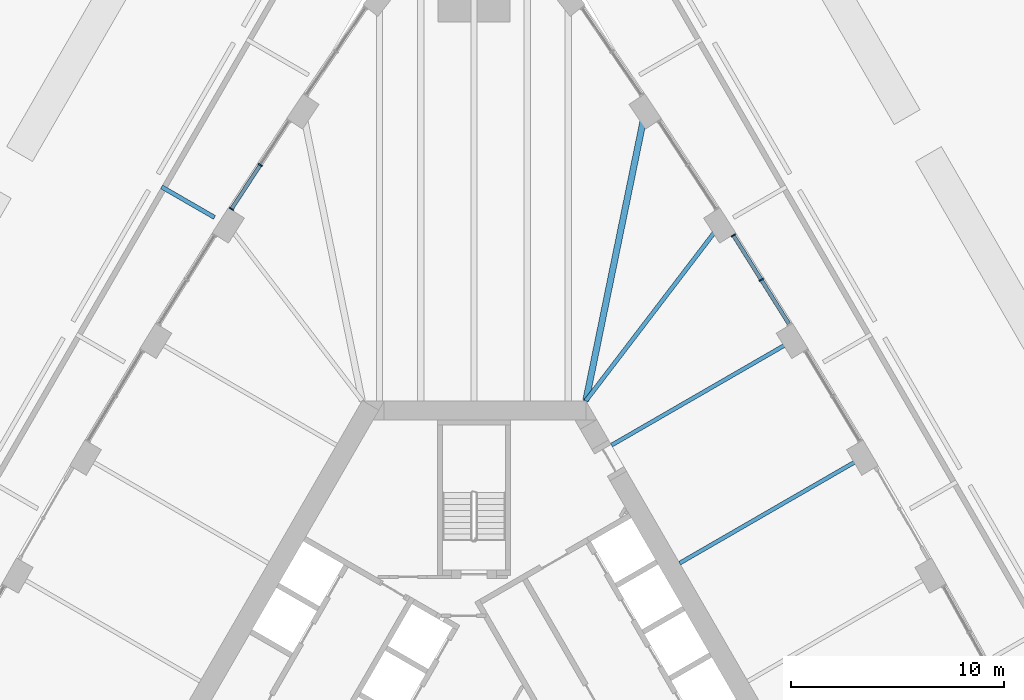
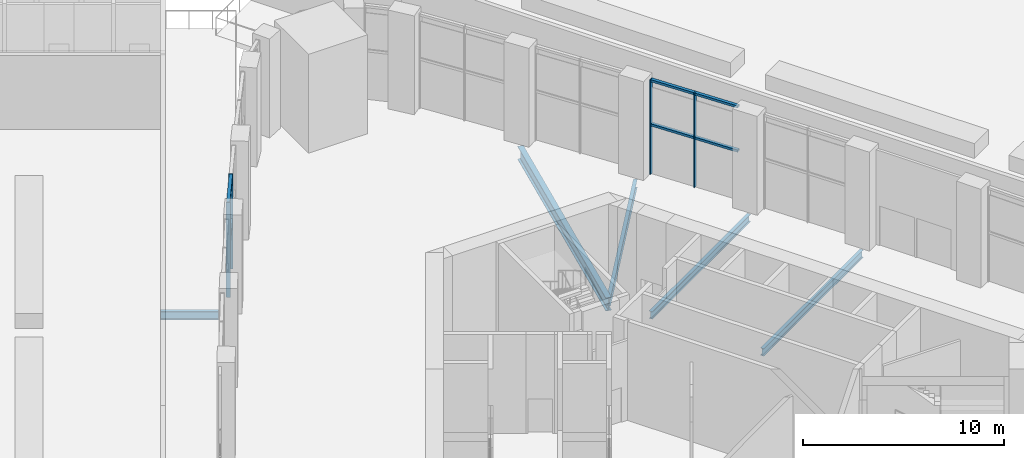
# One storey, part 11 of 41: 10 members, 5 beams, 2 elements without a shape of their own.
"""IFC4 building model written with IfcOpenShell, lengths in metres."""

from ifc_helpers import new_model, si_unit, direction, frame, origin, origin_2d, place, context, subcontext, project, spatial, rectangle, i_section, extrude, material, material_profile, profile_set, type_object, element, aggregate, save


model = new_model("IFC4")

# Units and contexts
model_context = context("Model", 3, precision=1e-05, world=origin(), true_north=direction((0.0, 1.0)))
body_context = subcontext(model_context, "Body", "Model", "MODEL_VIEW")
ifc_project = project(units=[si_unit("LENGTHUNIT", "METRE"), si_unit("AREAUNIT", "SQUARE_METRE"), si_unit("VOLUMEUNIT", "CUBIC_METRE"), si_unit("PLANEANGLEUNIT", "RADIAN"), si_unit("MASSUNIT", "GRAM", prefix="KILO")], contexts=[model_context])

# Site, building, storey
site_placement = place(None, origin())
site = spatial("IfcSite", under=ifc_project, at=site_placement, CompositionType="ELEMENT")
building_placement = place(site_placement, origin())
building = spatial("IfcBuilding", under=site, at=building_placement, Name="Mestral Congress Tower", CompositionType="ELEMENT")
storey_placement = place(building_placement, frame((0.0, 0.0, 21.60009765625)))
storey = spatial("IfcBuildingStorey", under=building, at=storey_placement, Name="L04", CompositionType="ELEMENT", Elevation=21.60009765625)

# Curtain wall, members
ifc_material_1 = material(Name="Clear low-emissivity double glazing", Category="glass")
curtain_wall_type = type_object("IfcCurtainWallType", Name="Facade arrival lobby curtain wall", PredefinedType="USERDEFINED", material=ifc_material_1)
placement = place(storey_placement, origin())
curtain_wall_1 = element("IfcCurtainWall", 1, at=placement, inside=storey, type_object=curtain_wall_type, Name="Facade arrival lobby curtain wall face 2", ObjectType="CURTAIN WALL", PredefinedType="USERDEFINED")
ifc_material_2 = material(Name="Anodised aluminium", Category="aluminium")
ifc_material_profile_1 = material_profile(ifc_material_2, rectangle(XDim=0.219970703125, YDim=0.06005859375, at=origin_2d()), Name="CW4 mullion 220 x 60")
ifc_profile_set_1 = profile_set([ifc_material_profile_1], Name="Anodised aluminium")
member_type_1 = type_object("IfcMemberType", Name="Facade arrival lobby curtain wall mullion", PredefinedType="MULLION", material=ifc_profile_set_1)
member_1_placement = place(storey_placement, frame((13.494384765625, 22.579833984375, 0.0), z_axis=(0.0, 0.0, 1.0), x_axis=(0.846953079929, 0.531667640918, 0.0)))
member_1 = element("IfcMember", 2, at=member_1_placement, type_object=member_type_1, Name="Facade arrival lobby curtain wall mullion", PredefinedType="MULLION", context=body_context, shape_type="SweptSolid", body=[
    extrude(rectangle(XDim=0.219970703125, YDim=0.06005859375, at=origin_2d()), origin(), (0.0, 0.0, 1.0), 5.75),
])
member_2_placement = place(storey_placement, frame((12.181640625, 24.671142578125, 0.0), z_axis=(0.0, 0.0, 1.0), x_axis=(0.846953079929, 0.531667640918, 0.0)))
member_2 = element("IfcMember", 3, at=member_2_placement, type_object=member_type_1, Name="Facade arrival lobby curtain wall mullion", PredefinedType="MULLION", context=body_context, shape_type="SweptSolid", body=[
    extrude(rectangle(XDim=0.219970703125, YDim=0.06005859375, at=origin_2d()), origin(), (0.0, 0.0, 1.0), 5.75),
])

curtain_wall_2 = element("IfcCurtainWall", 4, at=placement, inside=storey, type_object=curtain_wall_type, Name="Facade arrival lobby curtain wall face 3", ObjectType="CURTAIN WALL", PredefinedType="USERDEFINED")
member_3_placement = place(storey_placement, frame((-10.0390625, 27.97314453125, 0.0), z_axis=(0.0, 0.0, 1.0), x_axis=(-0.836982141811, 0.547230202282, 0.0)))
member_3 = element("IfcMember", 5, at=member_3_placement, type_object=member_type_1, Name="Facade arrival lobby curtain wall mullion", PredefinedType="MULLION", context=body_context, shape_type="SweptSolid", body=[
    extrude(rectangle(XDim=0.219970703125, YDim=0.06005859375, at=origin_2d()), origin(), (0.0, 0.0, 1.0), 5.75),
])
member_4_placement = place(storey_placement, frame((-11.39013671875, 25.906494140625, 0.0), z_axis=(0.0, 0.0, 1.0), x_axis=(-0.836982141811, 0.547230202282, 0.0)))
member_4 = element("IfcMember", 6, at=member_4_placement, type_object=member_type_1, Name="Facade arrival lobby curtain wall mullion", PredefinedType="MULLION", context=body_context, shape_type="SweptSolid", body=[
    extrude(rectangle(XDim=0.219970703125, YDim=0.06005859375, at=origin_2d()), origin(), (0.0, 0.0, 1.0), 5.75),
])

# Member
ifc_material_profile_2 = material_profile(ifc_material_2, rectangle(XDim=0.179931640625, YDim=0.139892578125, at=origin_2d()), Name="CW4 transom 180 x 140")
ifc_profile_set_2 = profile_set([ifc_material_profile_2], Name="Anodised aluminium")
member_type_2 = type_object("IfcMemberType", Name="Facade arrival lobby curtain wall transom", PredefinedType="USERDEFINED", material=ifc_profile_set_2)
member_5_placement = place(storey_placement, frame((14.791015625, 20.51416015625, 3.0), z_axis=(-0.531665012804, 0.846954729699, 0.0), x_axis=(-0.846954729699, -0.531665012804, 0.0)))
member_5 = element("IfcMember", 7, at=member_5_placement, type_object=member_type_2, Name="Facade arrival lobby curtain wall transom", ObjectType="TRANSOM", PredefinedType="USERDEFINED", context=body_context, shape_type="SweptSolid", body=[
    extrude(rectangle(XDim=0.179931640625, YDim=0.139892578125, at=origin_2d()), origin(), (0.0, 0.0, 1.0), 2.408935546875),
])

member_6_placement = place(storey_placement, frame((14.791015625, 20.51416015625, 5.679931640625), z_axis=(-0.531665012804, 0.846954729699, 0.0), x_axis=(-0.846954729699, -0.531665012804, 0.0)))
member_6 = element("IfcMember", 8, at=member_6_placement, type_object=member_type_2, Name="Facade arrival lobby curtain wall transom", ObjectType="TRANSOM", PredefinedType="USERDEFINED", context=body_context, shape_type="SweptSolid", body=[
    extrude(rectangle(XDim=0.179931640625, YDim=0.139892578125, at=origin_2d()), origin(), (0.0, 0.0, 1.0), 2.408935546875),
])

member_7_placement = place(storey_placement, frame((13.478515625, 22.60546875, 3.0), z_axis=(-0.531737706222, 0.846909092986, 0.0), x_axis=(-0.846909092986, -0.531737706222, 0.0)))
member_7 = element("IfcMember", 9, at=member_7_placement, type_object=member_type_2, Name="Facade arrival lobby curtain wall transom", ObjectType="TRANSOM", PredefinedType="USERDEFINED", context=body_context, shape_type="SweptSolid", body=[
    extrude(rectangle(XDim=0.179931640625, YDim=0.139892578125, at=origin_2d()), origin(), (0.0, 0.0, 1.0), 2.4091796875),
])

member_8_placement = place(storey_placement, frame((13.478515625, 22.60546875, 5.679931640625), z_axis=(-0.531737706222, 0.846909092986, 0.0), x_axis=(-0.846909092986, -0.531737706222, 0.0)))
member_8 = element("IfcMember", 10, at=member_8_placement, type_object=member_type_2, Name="Facade arrival lobby curtain wall transom", ObjectType="TRANSOM", PredefinedType="USERDEFINED", context=body_context, shape_type="SweptSolid", body=[
    extrude(rectangle(XDim=0.179931640625, YDim=0.139892578125, at=origin_2d()), origin(), (0.0, 0.0, 1.0), 2.4091796875),
])

aggregate(curtain_wall_1, [member_1, member_2, member_5, member_6, member_7, member_8])

member_9_placement = place(storey_placement, frame((-10.055419921875, 27.947998046875, 3.0), z_axis=(-0.547241171667, -0.836974969777, 0.0), x_axis=(0.836974969777, -0.547241171667, 0.0)))
member_9 = element("IfcMember", 11, at=member_9_placement, type_object=member_type_2, Name="Facade arrival lobby curtain wall transom", ObjectType="TRANSOM", PredefinedType="USERDEFINED", context=body_context, shape_type="SweptSolid", body=[
    extrude(rectangle(XDim=0.179931640625, YDim=0.139892578125, at=origin_2d()), origin(), (0.0, 0.0, 1.0), 2.4091796875),
])

member_10_placement = place(storey_placement, frame((-10.055419921875, 27.947998046875, 5.679931640625), z_axis=(-0.547241171667, -0.836974969777, 0.0), x_axis=(0.836974969777, -0.547241171667, 0.0)))
member_10 = element("IfcMember", 12, at=member_10_placement, type_object=member_type_2, Name="Facade arrival lobby curtain wall transom", ObjectType="TRANSOM", PredefinedType="USERDEFINED", context=body_context, shape_type="SweptSolid", body=[
    extrude(rectangle(XDim=0.179931640625, YDim=0.139892578125, at=origin_2d()), origin(), (0.0, 0.0, 1.0), 2.4091796875),
])

aggregate(curtain_wall_2, [member_3, member_4, member_9, member_10])

# Beams
ifc_material_3 = material(Name="Steel S355", Category="steel")
ifc_material_profile_3 = material_profile(ifc_material_3, i_section(OverallWidth=0.300048828125, OverallDepth=0.800048828125, WebThickness=0.017578125, FlangeThickness=0.032958984375, FilletRadius=0.030029296875, at=origin_2d()), Name="HEB 800")
ifc_profile_set_3 = profile_set([ifc_material_profile_3], Name="Steel S355")
beam_type_1 = type_object("IfcBeamType", Name="Floor beam HEB 800 S355", PredefinedType="BEAM", material=ifc_profile_set_3)
beam_1_placement = place(storey_placement, frame((8.03662109375, 30.4873046875, -0.800048828125), z_axis=(-0.200636612505, -0.979665733668, 0.0), x_axis=(0.979665733668, -0.200636612505, 0.0)))
element("IfcBeam", 13, at=beam_1_placement, inside=storey, type_object=beam_type_1, Name="BM-L04-RB1-E08", PredefinedType="BEAM", context=body_context, shape_type="SweptSolid", body=[
    extrude(i_section(OverallWidth=0.300048828125, OverallDepth=0.800048828125, WebThickness=0.017578125, FlangeThickness=0.032958984375, FilletRadius=0.030029296875, at=origin_2d()), origin(), (0.0, 0.0, 1.0), 13.869384765625),
])
ifc_material_profile_4 = material_profile(ifc_material_3, i_section(OverallWidth=0.18994140625, OverallDepth=0.449951171875, WebThickness=0.009521484375, FlangeThickness=0.0146484375, FilletRadius=0.02099609375, at=origin_2d()), Name="IPE 450")
ifc_profile_set_4 = profile_set([ifc_material_profile_4], Name="Steel S355")
beam_type_2 = type_object("IfcBeamType", Name="Floor beam IPE 450 S355", PredefinedType="BEAM", material=ifc_profile_set_4)
beam_2_placement = place(storey_placement, frame((18.243408203125, 14.227783203125, -0.625), z_axis=(-0.866024815816, -0.500001018391, 0.0), x_axis=(0.500001018391, -0.866024815816, 0.0)))
element("IfcBeam", 14, at=beam_2_placement, inside=storey, type_object=beam_type_2, Name="BM-L04-RB1-E05", PredefinedType="BEAM", context=body_context, shape_type="SweptSolid", body=[
    extrude(i_section(OverallWidth=0.18994140625, OverallDepth=0.449951171875, WebThickness=0.009521484375, FlangeThickness=0.0146484375, FilletRadius=0.02099609375, at=origin_2d()), origin(), (0.0, 0.0, 1.0), 9.9130859375),
])
beam_3_placement = place(storey_placement, frame((14.941650390625, 19.710205078125, -0.625), z_axis=(-0.866025782648, -0.499999343788, 0.0), x_axis=(0.499999343788, -0.866025782648, 0.0)))
element("IfcBeam", 15, at=beam_3_placement, inside=storey, type_object=beam_type_2, Name="BM-L04-RB1-E06", PredefinedType="BEAM", context=body_context, shape_type="SweptSolid", body=[
    extrude(i_section(OverallWidth=0.18994140625, OverallDepth=0.449951171875, WebThickness=0.009521484375, FlangeThickness=0.0146484375, FilletRadius=0.02099609375, at=origin_2d()), origin(), (0.0, 0.0, 1.0), 9.794921875),
])
ifc_material_profile_5 = material_profile(ifc_material_3, i_section(OverallWidth=0.199951171875, OverallDepth=0.5, WebThickness=0.01025390625, FlangeThickness=0.01611328125, FilletRadius=0.02099609375, at=origin_2d()), Name="IPE 500")
ifc_profile_set_5 = profile_set([ifc_material_profile_5], Name="Steel S355")
beam_type_3 = type_object("IfcBeamType", Name="Floor beam IPE 500 S355", PredefinedType="BEAM", material=ifc_profile_set_5)
beam_4_placement = place(storey_placement, frame((11.5390625, 25.130615234375, -0.650146484375), z_axis=(-0.606906563916, -0.794773189454, 0.0), x_axis=(0.794773189454, -0.606906563916, 0.0)))
element("IfcBeam", 16, at=beam_4_placement, inside=storey, type_object=beam_type_3, Name="BM-L04-RB1-E07", PredefinedType="BEAM", context=body_context, shape_type="SweptSolid", body=[
    extrude(i_section(OverallWidth=0.199951171875, OverallDepth=0.5, WebThickness=0.01025390625, FlangeThickness=0.01611328125, FilletRadius=0.02099609375, at=origin_2d()), origin(), (0.0, 0.0, 1.0), 10.35595703125),
])
beam_5_placement = place(storey_placement, frame((-14.6708984375, 26.9453125, -0.550048828125), z_axis=(0.866019818373, -0.500009674092, 0.0), x_axis=(0.500009674092, 0.866019818373, 0.0)))
element("IfcBeam", 17, at=beam_5_placement, inside=storey, type_object=beam_type_3, Name="BM-L04-W-K04", PredefinedType="BEAM", context=body_context, shape_type="SweptSolid", body=[
    extrude(i_section(OverallWidth=0.199951171875, OverallDepth=0.5, WebThickness=0.01025390625, FlangeThickness=0.01611328125, FilletRadius=0.02099609375, at=origin_2d()), origin(), (0.0, 0.0, 1.0), 2.86962890625),
])

save(model, "model.ifc")
